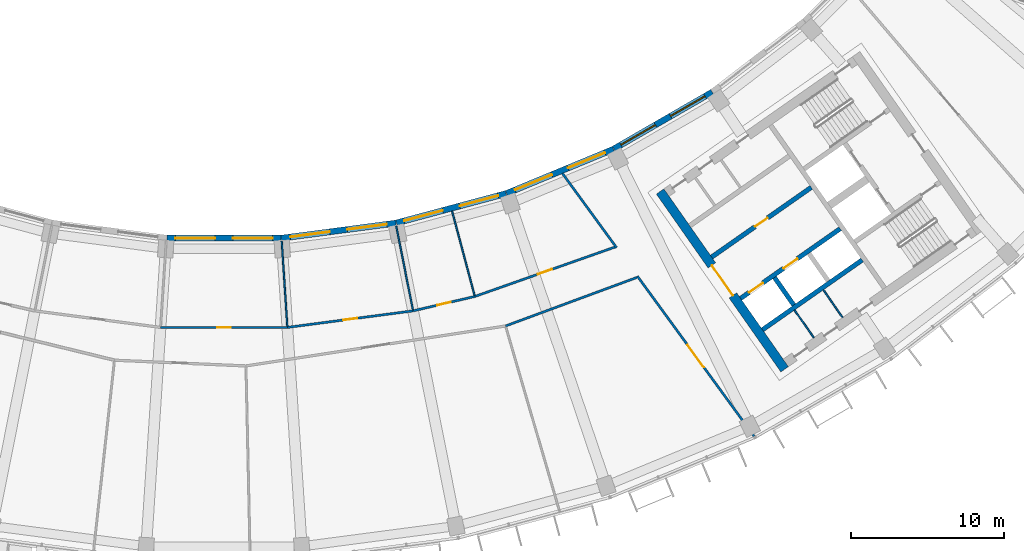
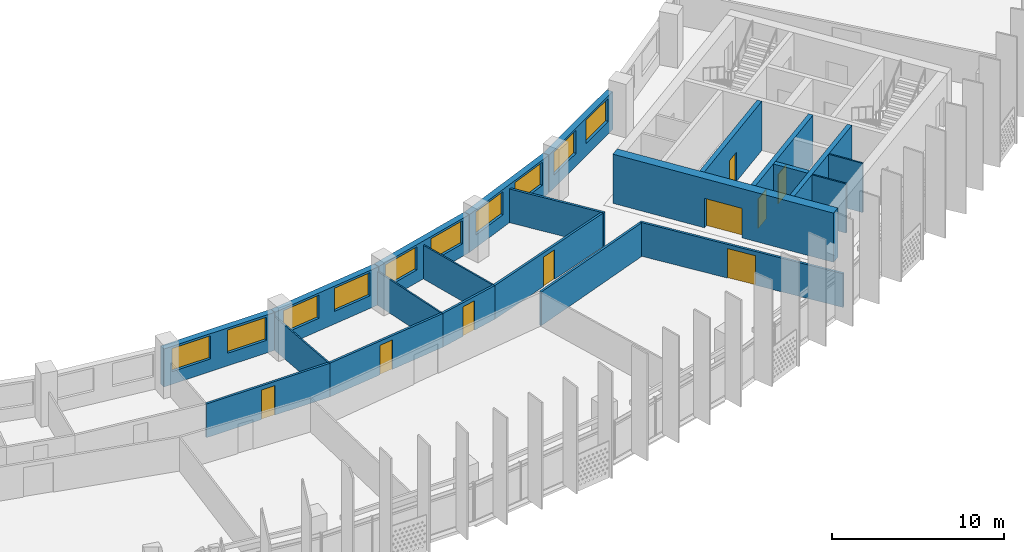
# One storey, part 6 of 28: 22 walls, 10 windows, 9 doors, 19 openings.
"""IFC4 building model written with IfcOpenShell, lengths in metres."""

from ifc_helpers import new_model, si_unit, direction, frame, frame_2d, origin, place, context, subcontext, project, spatial, rectangle, extrude, material, layer, layer_set, type_object, element, fill, save


model = new_model("IFC4")

# Units and contexts
model_context = context("Model", 3, precision=1e-05, world=origin(), true_north=direction((0.0, 1.0)))
body_context = subcontext(model_context, "Body", "Model", "MODEL_VIEW")
ifc_project = project(units=[si_unit("LENGTHUNIT", "METRE"), si_unit("AREAUNIT", "SQUARE_METRE"), si_unit("VOLUMEUNIT", "CUBIC_METRE"), si_unit("PLANEANGLEUNIT", "RADIAN"), si_unit("MASSUNIT", "GRAM", prefix="KILO")], contexts=[model_context])

# Site, building, storey
site_placement = place(None, origin())
site = spatial("IfcSite", under=ifc_project, at=site_placement, CompositionType="ELEMENT")
building_placement = place(site_placement, origin())
building = spatial("IfcBuilding", under=site, at=building_placement, Name="Qamariyya Broadcast Tower", CompositionType="ELEMENT")
storey_placement = place(building_placement, frame((0.0, 0.0, 226.5)))
storey = spatial("IfcBuildingStorey", under=building, at=storey_placement, Name="L54", CompositionType="ELEMENT", Elevation=226.5)

# Wall, opening, door
ifc_material_1 = material(Name="Concrete C60/75", Category="concrete")
ifc_layer_1 = layer(ifc_material_1, 0.60009765625)
ifc_layer_set_1 = layer_set([ifc_layer_1], Name="Core wall 600 mm Concrete C60/75")
wall_type_1 = type_object("IfcWallType", Name="Core wall 600 mm Concrete C60/75", PredefinedType="SHEAR", material=ifc_layer_set_1)
wall_1_placement = place(storey_placement, frame((36.66748046875, -66.005126953125, 0.0), z_axis=(0.0, 0.0, 1.0), x_axis=(-0.573568499524, 0.819157601658, 0.0)))
wall_1 = element("IfcWall", 1, at=wall_1_placement, inside=storey, type_object=wall_type_1, Name="k-E-L54-WA", PredefinedType="SHEAR", context=body_context, shape_type="SweptSolid", body=[
    extrude(rectangle(XDim=14.19970703125, YDim=0.60009765625, at=frame_2d((7.099853515625, 0.0))), origin(), (0.0, 0.0, 1.0), 3.5),
])
opening_1_placement = place(wall_1_placement, frame((5.89990234375, 0.0, 0.0)))
opening_1 = element("IfcOpeningElement", 2, at=opening_1_placement, cuts=wall_1, Name="Opening KD3-E1", PredefinedType="OPENING", context=body_context, shape_type="SweptSolid", body=[
    extrude(rectangle(XDim=2.39990234375, YDim=2.10009765625, at=frame_2d((1.199951171875, 1.050048828125))), frame((0.0, 0.31005859375, 0.0), z_axis=(0.0, -1.0, 0.0), x_axis=(1.0, 0.0, 0.0)), (0.0, 0.0, 1.0), 0.6201171875),
])
ifc_material_2 = material(Name="Steel fire-resisting door leaf", Category="steel")
door_type_1 = type_object("IfcDoorType", Name="Lift lobby door KD3", OperationType="DOUBLE_DOOR_SINGLE_SWING", PredefinedType="DOOR", material=ifc_material_2)
door_1_placement = place(opening_1_placement, origin())
door_1 = element("IfcDoor", 3, at=door_1_placement, inside=storey, type_object=door_type_1, Name="k-E-L54-WA-D1", OperationType="DOUBLE_DOOR_SINGLE_SWING", OverallHeight=2.10009765625, OverallWidth=2.39990234375, PredefinedType="DOOR", context=body_context, shape_type="SweptSolid", body=[
    extrude(rectangle(XDim=2.39990234375, YDim=2.10009765625, at=frame_2d((1.199951171875, 1.050048828125))), frame((0.0, 0.02490234375, 0.0), z_axis=(0.0, -1.0, 0.0), x_axis=(1.0, 0.0, 0.0)), (0.0, 0.0, 1.0), 0.050048828125),
])
fill(opening_1, door_1)

ifc_material_3 = material(Name="Gypsum board partition")
ifc_layer_2 = layer(ifc_material_3, 0.14990234375)
ifc_layer_set_2 = layer_set([ifc_layer_2], Name="Corridor partition 150 EI 60")
wall_type_2 = type_object("IfcWallType", Name="Corridor partition 150 EI 60", PredefinedType="PARTITIONING", material=ifc_layer_set_2)
wall_2_placement = place(storey_placement, frame((-4.146484375, -63.26416015625, 0.0), z_axis=(0.0, 0.0, 1.0), x_axis=(1.0, 0.0, 0.0)))
wall_2 = element("IfcWall", 4, at=wall_2_placement, inside=storey, type_object=wall_type_2, Name="Partition L54-014", PredefinedType="PARTITIONING", context=body_context, shape_type="SweptSolid", body=[
    extrude(rectangle(XDim=8.29296875, YDim=0.14990234375, at=frame_2d((4.146484375, 0.0))), origin(), (0.0, 0.0, 1.0), 2.39990234375),
])
opening_2_placement = place(wall_2_placement, frame((3.696533203125, 0.0, 0.0)))
opening_2 = element("IfcOpeningElement", 5, at=opening_2_placement, cuts=wall_2, Name="Opening L54-D09", PredefinedType="OPENING", context=body_context, shape_type="SweptSolid", body=[
    extrude(rectangle(XDim=0.89990234375, YDim=2.10009765625, at=frame_2d((0.449951171875, 1.050048828125))), frame((0.0, 0.0849609375, 0.0), z_axis=(0.0, -1.0, 0.0), x_axis=(1.0, 0.0, 0.0)), (0.0, 0.0, 1.0), 0.169921875),
])
ifc_material_4 = material(Name="Timber fire door leaf", Category="wood")
door_type_2 = type_object("IfcDoorType", Name="Fire door 900 x 2100 FD60", OperationType="NOTDEFINED", PredefinedType="DOOR", material=ifc_material_4)
door_2_placement = place(opening_2_placement, origin())
door_2 = element("IfcDoor", 6, at=door_2_placement, inside=storey, type_object=door_type_2, Name="Door L54-D09", OperationType="SINGLE_SWING_RIGHT", OverallHeight=2.10009765625, OverallWidth=0.89990234375, PredefinedType="DOOR", context=body_context, shape_type="SweptSolid", body=[
    extrude(rectangle(XDim=0.89990234375, YDim=2.10009765625, at=frame_2d((0.449951171875, 1.050048828125))), frame((0.0, 0.02490234375, 0.0), z_axis=(0.0, -1.0, 0.0), x_axis=(1.0, 0.0, 0.0)), (0.0, 0.0, 1.0), 0.050048828125),
])
fill(opening_2, door_2)

wall_3_placement = place(storey_placement, frame((4.146484375, -63.26416015625, 0.0), z_axis=(0.0, 0.0, 1.0), x_axis=(0.991447881484, 0.130503250152, 0.0)))
wall_3 = element("IfcWall", 7, at=wall_3_placement, inside=storey, type_object=wall_type_2, Name="Partition L54-019", PredefinedType="PARTITIONING", context=body_context, shape_type="SweptSolid", body=[
    extrude(rectangle(XDim=8.293212890625, YDim=0.14990234375, at=frame_2d((4.146484375, 0.0))), origin(), (0.0, 0.0, 1.0), 2.39990234375),
])
opening_3_placement = place(wall_3_placement, frame((3.696533203125, 0.0, 0.0)))
opening_3 = element("IfcOpeningElement", 8, at=opening_3_placement, cuts=wall_3, Name="Opening L54-D10", PredefinedType="OPENING", context=body_context, shape_type="SweptSolid", body=[
    extrude(rectangle(XDim=0.89990234375, YDim=2.10009765625, at=frame_2d((0.449951171875, 1.050048828125))), frame((0.0, 0.0849609375, 0.0), z_axis=(0.0, -1.0, 0.0), x_axis=(1.0, 0.0, 0.0)), (0.0, 0.0, 1.0), 0.169921875),
])
door_3_placement = place(opening_3_placement, origin())
door_3 = element("IfcDoor", 9, at=door_3_placement, inside=storey, type_object=door_type_2, Name="Door L54-D10", OperationType="SINGLE_SWING_RIGHT", OverallHeight=2.10009765625, OverallWidth=0.89990234375, PredefinedType="DOOR", context=body_context, shape_type="SweptSolid", body=[
    extrude(rectangle(XDim=0.89990234375, YDim=2.10009765625, at=frame_2d((0.449951171875, 1.050048828125))), frame((0.0, 0.02490234375, 0.0), z_axis=(0.0, -1.0, 0.0), x_axis=(1.0, 0.0, 0.0)), (0.0, 0.0, 1.0), 0.050048828125),
])
fill(opening_3, door_3)

wall_4_placement = place(storey_placement, frame((12.36865234375, -62.181884765625, 0.0), z_axis=(0.0, 0.0, 1.0), x_axis=(0.973875922187, 0.227080796599, 0.0)))
wall_4 = element("IfcWall", 10, at=wall_4_placement, inside=storey, type_object=wall_type_2, Name="Partition L54-021", PredefinedType="PARTITIONING", context=body_context, shape_type="SweptSolid", body=[
    extrude(rectangle(XDim=4.14892578125, YDim=0.14990234375, at=frame_2d((2.074462890625, 0.0))), origin(), (0.0, 0.0, 1.0), 2.39990234375),
])
opening_4_placement = place(wall_4_placement, frame((1.62451171875, 0.0, 0.0)))
opening_4 = element("IfcOpeningElement", 11, at=opening_4_placement, cuts=wall_4, Name="Opening L54-D11", PredefinedType="OPENING", context=body_context, shape_type="SweptSolid", body=[
    extrude(rectangle(XDim=0.89990234375, YDim=2.10009765625, at=frame_2d((0.449951171875, 1.050048828125))), frame((0.0, 0.0849609375, 0.0), z_axis=(0.0, -1.0, 0.0), x_axis=(1.0, 0.0, 0.0)), (0.0, 0.0, 1.0), 0.169921875),
])
door_4_placement = place(opening_4_placement, origin())
door_4 = element("IfcDoor", 12, at=door_4_placement, inside=storey, type_object=door_type_2, Name="Door L54-D11", OperationType="SINGLE_SWING_RIGHT", OverallHeight=2.10009765625, OverallWidth=0.89990234375, PredefinedType="DOOR", context=body_context, shape_type="SweptSolid", body=[
    extrude(rectangle(XDim=0.89990234375, YDim=2.10009765625, at=frame_2d((0.449951171875, 1.050048828125))), frame((0.0, 0.02490234375, 0.0), z_axis=(0.0, -1.0, 0.0), x_axis=(1.0, 0.0, 0.0)), (0.0, 0.0, 1.0), 0.050048828125),
])
fill(opening_4, door_4)

wall_5_placement = place(storey_placement, frame((16.4091796875, -61.23974609375, 0.0), z_axis=(0.0, 0.0, 1.0), x_axis=(0.943087830275, 0.332543748081, 0.0)))
wall_5 = element("IfcWall", 13, at=wall_5_placement, inside=storey, type_object=wall_type_2, Name="Partition L54-023", PredefinedType="PARTITIONING", context=body_context, shape_type="SweptSolid", body=[
    extrude(rectangle(XDim=9.7041015625, YDim=0.14990234375, at=frame_2d((4.85205078125, 0.0))), origin(), (0.0, 0.0, 1.0), 2.39990234375),
])
opening_5_placement = place(wall_5_placement, frame((4.35205078125, 0.0, 0.0)))
opening_5 = element("IfcOpeningElement", 14, at=opening_5_placement, cuts=wall_5, Name="Opening L54-D12", PredefinedType="OPENING", context=body_context, shape_type="SweptSolid", body=[
    extrude(rectangle(XDim=1.0, YDim=2.10009765625, at=frame_2d((0.5, 1.050048828125))), frame((0.0, 0.0849609375, 0.0), z_axis=(0.0, -1.0, 0.0), x_axis=(1.0, 0.0, 0.0)), (0.0, 0.0, 1.0), 0.169921875),
])
door_type_3 = type_object("IfcDoorType", Name="Fire door 1000 x 2100 FD60", OperationType="NOTDEFINED", PredefinedType="DOOR", material=ifc_material_4)
door_5_placement = place(opening_5_placement, origin())
door_5 = element("IfcDoor", 15, at=door_5_placement, inside=storey, type_object=door_type_3, Name="Door L54-D12", OperationType="SINGLE_SWING_RIGHT", OverallHeight=2.10009765625, OverallWidth=1.0, PredefinedType="DOOR", context=body_context, shape_type="SweptSolid", body=[
    extrude(rectangle(XDim=1.0, YDim=2.10009765625, at=frame_2d((0.5, 1.050048828125))), frame((0.0, 0.02490234375, 0.0), z_axis=(0.0, -1.0, 0.0), x_axis=(1.0, 0.0, 0.0)), (0.0, 0.0, 1.0), 0.050048828125),
])
fill(opening_5, door_5)

# Walls
wall_6_placement = place(storey_placement, frame((18.41455078125, -63.170654296875, 0.0), z_axis=(0.0, 0.0, 1.0), x_axis=(0.938039704857, 0.34652779414, 0.0)))
element("IfcWall", 16, at=wall_6_placement, inside=storey, type_object=wall_type_2, Name="Partition L54-024", PredefinedType="PARTITIONING", context=body_context, shape_type="SweptSolid", body=[
    extrude(rectangle(XDim=9.160400390625, YDim=0.14990234375, at=frame_2d((4.580078125, 0.0))), origin(), (0.0, 0.0, 1.0), 2.39990234375),
])
wall_7_placement = place(storey_placement, frame((22.135498046875, -53.1943359375, 0.0), z_axis=(0.0, 0.0, 1.0), x_axis=(0.589297062476, -0.807916438846, 0.0)))
element("IfcWall", 17, at=wall_7_placement, inside=storey, type_object=wall_type_2, Name="Partition L54-025", PredefinedType="PARTITIONING", context=body_context, shape_type="SweptSolid", body=[
    extrude(rectangle(XDim=6.008056640625, YDim=0.14990234375, at=frame_2d((3.00390625, 0.0))), origin(), (0.0, 0.0, 1.0), 2.39990234375),
])

# Wall, opening, door
wall_8_placement = place(storey_placement, frame((34.668212890625, -70.37744140625, 0.0), z_axis=(0.0, 0.0, 1.0), x_axis=(-0.589273648147, 0.807933516819, 0.0)))
wall_8 = element("IfcWall", 18, at=wall_8_placement, inside=storey, type_object=wall_type_2, Name="Partition L54-027", PredefinedType="PARTITIONING", context=body_context, shape_type="SweptSolid", body=[
    extrude(rectangle(XDim=12.956298828125, YDim=0.14990234375, at=frame_2d((6.47802734375, 0.0))), origin(), (0.0, 0.0, 1.0), 2.39990234375),
])
opening_6_placement = place(wall_8_placement, frame((5.578125, 0.0, 0.0)))
opening_6 = element("IfcOpeningElement", 19, at=opening_6_placement, cuts=wall_8, Name="Opening L54-D05", PredefinedType="OPENING", context=body_context, shape_type="SweptSolid", body=[
    extrude(rectangle(XDim=1.800048828125, YDim=2.10009765625, at=frame_2d((0.89990234375, 1.050048828125))), frame((0.0, 0.0849609375, 0.0), z_axis=(0.0, -1.0, 0.0), x_axis=(1.0, 0.0, 0.0)), (0.0, 0.0, 1.0), 0.169921875),
])
door_type_4 = type_object("IfcDoorType", Name="Double fire door 1800 x 2100 FD60", OperationType="NOTDEFINED", PredefinedType="DOOR", material=ifc_material_4)
door_6_placement = place(opening_6_placement, origin())
door_6 = element("IfcDoor", 20, at=door_6_placement, inside=storey, type_object=door_type_4, Name="Door L54-D05", OperationType="DOUBLE_DOOR_SINGLE_SWING", OverallHeight=2.10009765625, OverallWidth=1.800048828125, PredefinedType="DOOR", context=body_context, shape_type="SweptSolid", body=[
    extrude(rectangle(XDim=1.800048828125, YDim=2.10009765625, at=frame_2d((0.89990234375, 1.050048828125))), frame((0.0, 0.02490234375, 0.0), z_axis=(0.0, -1.0, 0.0), x_axis=(1.0, 0.0, 0.0)), (0.0, 0.0, 1.0), 0.050048828125),
])
fill(opening_6, door_6)

ifc_layer_3 = layer(ifc_material_1, 0.300048828125)
ifc_layer_set_3 = layer_set([ifc_layer_3], Name="Lift shaft wall 300 mm Concrete C60/75")
wall_type_3 = type_object("IfcWallType", Name="Lift shaft wall 300 mm Concrete C60/75", PredefinedType="SOLIDWALL", material=ifc_layer_set_3)
wall_9_placement = place(storey_placement, frame((31.89453125, -58.66552734375, 0.0), z_axis=(0.0, 0.0, 1.0), x_axis=(0.819166993208, 0.573555086491, 0.0)))
wall_9 = element("IfcWall", 21, at=wall_9_placement, inside=storey, type_object=wall_type_3, Name="k-E-L54-NF0", PredefinedType="SOLIDWALL", context=body_context, shape_type="SweptSolid", body=[
    extrude(rectangle(XDim=7.9501953125, YDim=0.300048828125, at=frame_2d((3.97509765625, 0.0))), origin(), (0.0, 0.0, 1.0), 3.5),
])
opening_7_placement = place(wall_9_placement, frame((3.47509765625, 0.0, 0.0)))
opening_7 = element("IfcOpeningElement", 22, at=opening_7_placement, cuts=wall_9, Name="Opening KD6-E1", PredefinedType="OPENING", context=body_context, shape_type="SweptSolid", body=[
    extrude(rectangle(XDim=1.0, YDim=2.10009765625, at=frame_2d((0.5, 1.050048828125))), frame((0.0, 0.159912109375, 0.0), z_axis=(0.0, -1.0, 0.0), x_axis=(1.0, 0.0, 0.0)), (0.0, 0.0, 1.0), 0.320068359375),
])
door_type_5 = type_object("IfcDoorType", Name="Core room door KD6", OperationType="SINGLE_SWING_LEFT", PredefinedType="DOOR", material=ifc_material_2)
door_7_placement = place(opening_7_placement, origin())
door_7 = element("IfcDoor", 23, at=door_7_placement, inside=storey, type_object=door_type_5, Name="k-E-L54-NF0-D2", OperationType="SINGLE_SWING_RIGHT", OverallHeight=2.10009765625, OverallWidth=1.0, PredefinedType="DOOR", context=body_context, shape_type="SweptSolid", body=[
    extrude(rectangle(XDim=1.0, YDim=2.10009765625, at=frame_2d((0.5, 1.050048828125))), frame((0.0, 0.02490234375, 0.0), z_axis=(0.0, -1.0, 0.0), x_axis=(1.0, 0.0, 0.0)), (0.0, 0.0, 1.0), 0.050048828125),
])
fill(opening_7, door_7)

# Wall, openings, doors
wall_10_placement = place(storey_placement, frame((33.787353515625, -61.368896484375, 0.0), z_axis=(0.0, 0.0, 1.0), x_axis=(0.819152564888, 0.573575692858, 0.0)))
wall_10 = element("IfcWall", 24, at=wall_10_placement, inside=storey, type_object=wall_type_3, Name="k-E-L54-SF0", PredefinedType="SOLIDWALL", context=body_context, shape_type="SweptSolid", body=[
    extrude(rectangle(XDim=7.9501953125, YDim=0.300048828125, at=frame_2d((3.97509765625, 0.0))), origin(), (0.0, 0.0, 1.0), 3.5),
])
opening_8_placement = place(wall_10_placement, frame((0.675048828125, 0.0, 0.0)))
opening_8 = element("IfcOpeningElement", 25, at=opening_8_placement, cuts=wall_10, Name="Opening LD", PredefinedType="OPENING", context=body_context, shape_type="SweptSolid", body=[
    extrude(rectangle(XDim=1.10009765625, YDim=2.10009765625, at=frame_2d((0.550048828125, 1.050048828125))), frame((0.0, 0.159912109375, 0.0), z_axis=(0.0, -1.0, 0.0), x_axis=(1.0, 0.0, 0.0)), (0.0, 0.0, 1.0), 0.320068359375),
])
opening_9_placement = place(wall_10_placement, frame((3.425048828125, 0.0, 0.0)))
opening_9 = element("IfcOpeningElement", 26, at=opening_9_placement, cuts=wall_10, Name="Opening LD", PredefinedType="OPENING", context=body_context, shape_type="SweptSolid", body=[
    extrude(rectangle(XDim=1.10009765625, YDim=2.10009765625, at=frame_2d((0.550048828125, 1.050048828125))), frame((0.0, 0.159912109375, 0.0), z_axis=(0.0, -1.0, 0.0), x_axis=(1.0, 0.0, 0.0)), (0.0, 0.0, 1.0), 0.320068359375),
])
door_type_6 = type_object("IfcDoorType", Name="Lift landing door LD", OperationType="DOUBLE_DOOR_SLIDING", PredefinedType="DOOR", material=ifc_material_2)
door_8_placement = place(opening_8_placement, origin())
door_8 = element("IfcDoor", 27, at=door_8_placement, inside=storey, type_object=door_type_6, Name="k-E-L54-SF0-D3", OperationType="DOUBLE_DOOR_SLIDING", OverallHeight=2.10009765625, OverallWidth=1.10009765625, PredefinedType="DOOR", context=body_context, shape_type="SweptSolid", body=[
    extrude(rectangle(XDim=1.10009765625, YDim=2.10009765625, at=frame_2d((0.550048828125, 1.050048828125))), frame((0.0, 0.02490234375, 0.0), z_axis=(0.0, -1.0, 0.0), x_axis=(1.0, 0.0, 0.0)), (0.0, 0.0, 1.0), 0.050048828125),
])
fill(opening_8, door_8)
door_9_placement = place(opening_9_placement, origin())
door_9 = element("IfcDoor", 28, at=door_9_placement, inside=storey, type_object=door_type_6, Name="k-E-L54-SF0-D4", OperationType="DOUBLE_DOOR_SLIDING", OverallHeight=2.10009765625, OverallWidth=1.10009765625, PredefinedType="DOOR", context=body_context, shape_type="SweptSolid", body=[
    extrude(rectangle(XDim=1.10009765625, YDim=2.10009765625, at=frame_2d((0.550048828125, 1.050048828125))), frame((0.0, 0.02490234375, 0.0), z_axis=(0.0, -1.0, 0.0), x_axis=(1.0, 0.0, 0.0)), (0.0, 0.0, 1.0), 0.050048828125),
])
fill(opening_9, door_9)

# Walls
wall_11_placement = place(storey_placement, frame((35.22119140625, -63.41650390625, 0.0), z_axis=(0.0, 0.0, 1.0), x_axis=(0.819166993208, 0.573555086491, 0.0)))
element("IfcWall", 29, at=wall_11_placement, inside=storey, type_object=wall_type_3, Name="k-E-L54-SB0", PredefinedType="SOLIDWALL", context=body_context, shape_type="SweptSolid", body=[
    extrude(rectangle(XDim=7.9501953125, YDim=0.300048828125, at=frame_2d((3.97509765625, 0.0))), origin(), (0.0, 0.0, 1.0), 3.5),
])
wall_12_placement = place(storey_placement, frame((36.003173828125, -60.000244140625, 0.0), z_axis=(0.0, 0.0, 1.0), x_axis=(0.573581496053, -0.819148501424, 0.0)))
element("IfcWall", 30, at=wall_12_placement, inside=storey, type_object=wall_type_3, Name="k-E-L54-SD0", PredefinedType="SOLIDWALL", context=body_context, shape_type="SweptSolid", body=[
    extrude(rectangle(XDim=2.2001953125, YDim=0.300048828125, at=frame_2d((1.10009765625, 0.0))), origin(), (0.0, 0.0, 1.0), 3.5),
])
ifc_layer_4 = layer(ifc_material_3, 0.10009765625)
ifc_layer_set_4 = layer_set([ifc_layer_4], Name="Partition 100")
wall_type_4 = type_object("IfcWallType", Name="Partition 100", PredefinedType="PARTITIONING", material=ifc_layer_set_4)
for number, where, z_axis, x_axis, name in (
    (31, (3.777099609375, -57.62646484375, 0.0), (0.0, 0.0, 1.0), (0.065382488891, -0.997860275864, 0.0), "Partition L54-018"),
    (32, (11.266357421875, -56.640380859375, 0.0), (0.0, 0.0, 1.0), (0.195097004053, -0.98078395124, 0.0), "Partition L54-020"),
):
    element("IfcWall", number, at=place(storey_placement, frame(where, z_axis=z_axis, x_axis=x_axis)), inside=storey, type_object=wall_type_4, Name=name, PredefinedType="PARTITIONING", context=body_context, shape_type="SweptSolid", body=[
        extrude(rectangle(XDim=5.574951171875, YDim=0.10009765625, at=frame_2d((2.78759765625, 0.0))), origin(), (0.0, 0.0, 1.0), 2.39990234375),
    ])
wall_13_placement = place(storey_placement, frame((14.9150390625, -55.66357421875, 0.0), z_axis=(0.0, 0.0, 1.0), x_axis=(0.258803907589, -0.965929882247, 0.0)))
element("IfcWall", 33, at=wall_13_placement, inside=storey, type_object=wall_type_4, Name="Partition L54-022", PredefinedType="PARTITIONING", context=body_context, shape_type="SweptSolid", body=[
    extrude(rectangle(XDim=5.69775390625, YDim=0.10009765625, at=frame_2d((2.848876953125, 0.0))), origin(), (0.0, 0.0, 1.0), 2.39990234375),
])
ifc_material_5 = material(Name="Fire-rated gypsum shaft liner on steel studs", Category="steel")
ifc_layer_5 = layer(ifc_material_5, 0.10009765625)
ifc_layer_set_5 = layer_set([ifc_layer_5], Name="Riser wall 100 mm")
wall_type_5 = type_object("IfcWallType", Name="Riser wall 100 mm", PredefinedType="PLUMBINGWALL", material=ifc_layer_set_5)
wall_14_placement = place(storey_placement, frame((37.314208984375, -62.13427734375, 0.0), z_axis=(0.0, 0.0, 1.0), x_axis=(0.573633636671, -0.819111989218, 0.0)))
element("IfcWall", 34, at=wall_14_placement, inside=storey, type_object=wall_type_5, Name="k-E-L54-SP245", PredefinedType="PLUMBINGWALL", context=body_context, shape_type="SweptSolid", body=[
    extrude(rectangle(XDim=2.199951171875, YDim=0.10009765625, at=frame_2d((1.10009765625, 0.0))), origin(), (0.0, 0.0, 1.0), 3.5),
])
wall_15_placement = place(storey_placement, frame((39.1982421875, -60.81494140625, 0.0), z_axis=(0.0, 0.0, 1.0), x_axis=(0.573581496053, -0.819148501424, 0.0)))
element("IfcWall", 35, at=wall_15_placement, inside=storey, type_object=wall_type_5, Name="k-E-L54-SP475", PredefinedType="PLUMBINGWALL", context=body_context, shape_type="SweptSolid", body=[
    extrude(rectangle(XDim=2.2001953125, YDim=0.10009765625, at=frame_2d((1.10009765625, 0.0))), origin(), (0.0, 0.0, 1.0), 3.5),
])

# Wall, openings, windows
ifc_material_6 = material(Name="Terracotta", Category="masonry")
ifc_layer_6 = layer(ifc_material_6, 0.39990234375)
ifc_layer_set_6 = layer_set([ifc_layer_6], Name="Terracotta clad wall 400")
wall_type_6 = type_object("IfcWallType", Name="Terracotta clad wall 400", PredefinedType="SOLIDWALL", material=ifc_layer_set_6)
wall_16_placement = place(storey_placement, frame((18.449951171875, -54.50927734375, 0.0), z_axis=(0.0, 0.0, 1.0), x_axis=(-0.965924866111, -0.25882262851, 0.0)))
wall_16 = element("IfcWall", 36, at=wall_16_placement, inside=storey, type_object=wall_type_6, Name="e-wl-L54-in100", PredefinedType="SOLIDWALL", context=body_context, shape_type="SweptSolid", body=[
    extrude(rectangle(XDim=7.426513671875, YDim=0.39990234375, at=frame_2d((3.71337890625, 0.0))), origin(), (0.0, 0.0, 1.0), 2.699951171875),
])
opening_10_placement = place(wall_16_placement, frame((4.28857421875, 0.0, 0.89990234375)))
opening_10 = element("IfcOpeningElement", 37, at=opening_10_placement, cuts=wall_16, Name="Opening W1", PredefinedType="OPENING", context=body_context, shape_type="SweptSolid", body=[
    extrude(rectangle(XDim=2.60009765625, YDim=1.64990234375, at=frame_2d((1.300048828125, 0.824951171875))), frame((0.0, 0.2099609375, 0.0), z_axis=(0.0, -1.0, 0.0), x_axis=(1.0, 0.0, 0.0)), (0.0, 0.0, 1.0), 0.419921875),
])
opening_11_placement = place(wall_16_placement, frame((0.537841796875, 0.0, 0.89990234375)))
opening_11 = element("IfcOpeningElement", 38, at=opening_11_placement, cuts=wall_16, Name="Opening W1", PredefinedType="OPENING", context=body_context, shape_type="SweptSolid", body=[
    extrude(rectangle(XDim=2.60009765625, YDim=1.64990234375, at=frame_2d((1.300048828125, 0.824951171875))), frame((0.0, 0.2099609375, 0.0), z_axis=(0.0, -1.0, 0.0), x_axis=(1.0, 0.0, 0.0)), (0.0, 0.0, 1.0), 0.419921875),
])
ifc_material_7 = material(Name="Clear low-e double glazed unit in aluminium frame", Category="aluminium")
window_type = type_object("IfcWindowType", Name="Ribbon window 2600 x 1650", PartitioningType="SINGLE_PANEL", PredefinedType="WINDOW", material=ifc_material_7)
window_1_placement = place(opening_10_placement, origin())
window_1 = element("IfcWindow", 39, at=window_1_placement, inside=storey, type_object=window_type, Name="e-w-L54-in10-0", OverallHeight=1.64990234375, OverallWidth=2.60009765625, PartitioningType="SINGLE_PANEL", PredefinedType="WINDOW", context=body_context, shape_type="SweptSolid", body=[
    extrude(rectangle(XDim=2.60009765625, YDim=1.64990234375, at=frame_2d((1.300048828125, 0.824951171875))), frame((0.0, 0.030029296875, 0.0), z_axis=(0.0, -1.0, 0.0), x_axis=(1.0, 0.0, 0.0)), (0.0, 0.0, 1.0), 0.06005859375),
])
fill(opening_10, window_1)
window_2_placement = place(opening_11_placement, origin())
window_2 = element("IfcWindow", 40, at=window_2_placement, inside=storey, type_object=window_type, Name="e-w-L54-in10-1", OverallHeight=1.64990234375, OverallWidth=2.60009765625, PartitioningType="SINGLE_PANEL", PredefinedType="WINDOW", context=body_context, shape_type="SweptSolid", body=[
    extrude(rectangle(XDim=2.60009765625, YDim=1.64990234375, at=frame_2d((1.300048828125, 0.824951171875))), frame((0.0, 0.030029296875, 0.0), z_axis=(0.0, -1.0, 0.0), x_axis=(1.0, 0.0, 0.0)), (0.0, 0.0, 1.0), 0.06005859375),
])
fill(opening_11, window_2)

wall_17_placement = place(storey_placement, frame((25.47705078125, -51.60595703125, 0.0), z_axis=(0.0, 0.0, 1.0), x_axis=(-0.923884115122, -0.382672368777, 0.0)))
wall_17 = element("IfcWall", 41, at=wall_17_placement, inside=storey, type_object=wall_type_6, Name="e-wl-L54-in110", PredefinedType="SOLIDWALL", context=body_context, shape_type="SweptSolid", body=[
    extrude(rectangle(XDim=7.578125, YDim=0.39990234375, at=frame_2d((3.7890625, 0.0))), origin(), (0.0, 0.0, 1.0), 2.699951171875),
])
opening_12_placement = place(wall_17_placement, frame((4.364501953125, 0.0, 0.89990234375)))
opening_12 = element("IfcOpeningElement", 42, at=opening_12_placement, cuts=wall_17, Name="Opening W1", PredefinedType="OPENING", context=body_context, shape_type="SweptSolid", body=[
    extrude(rectangle(XDim=2.60009765625, YDim=1.64990234375, at=frame_2d((1.300048828125, 0.824951171875))), frame((0.0, 0.2099609375, 0.0), z_axis=(0.0, -1.0, 0.0), x_axis=(1.0, 0.0, 0.0)), (0.0, 0.0, 1.0), 0.419921875),
])
opening_13_placement = place(wall_17_placement, frame((0.613525390625, 0.0, 0.89990234375)))
opening_13 = element("IfcOpeningElement", 43, at=opening_13_placement, cuts=wall_17, Name="Opening W1", PredefinedType="OPENING", context=body_context, shape_type="SweptSolid", body=[
    extrude(rectangle(XDim=2.60009765625, YDim=1.64990234375, at=frame_2d((1.300048828125, 0.824951171875))), frame((0.0, 0.2099609375, 0.0), z_axis=(0.0, -1.0, 0.0), x_axis=(1.0, 0.0, 0.0)), (0.0, 0.0, 1.0), 0.419921875),
])
window_3_placement = place(opening_12_placement, origin())
window_3 = element("IfcWindow", 44, at=window_3_placement, inside=storey, type_object=window_type, Name="e-w-L54-in11-0", OverallHeight=1.64990234375, OverallWidth=2.60009765625, PartitioningType="SINGLE_PANEL", PredefinedType="WINDOW", context=body_context, shape_type="SweptSolid", body=[
    extrude(rectangle(XDim=2.60009765625, YDim=1.64990234375, at=frame_2d((1.300048828125, 0.824951171875))), frame((0.0, 0.030029296875, 0.0), z_axis=(0.0, -1.0, 0.0), x_axis=(1.0, 0.0, 0.0)), (0.0, 0.0, 1.0), 0.06005859375),
])
fill(opening_12, window_3)
window_4_placement = place(opening_13_placement, origin())
window_4 = element("IfcWindow", 45, at=window_4_placement, inside=storey, type_object=window_type, Name="e-w-L54-in11-1", OverallHeight=1.64990234375, OverallWidth=2.60009765625, PartitioningType="SINGLE_PANEL", PredefinedType="WINDOW", context=body_context, shape_type="SweptSolid", body=[
    extrude(rectangle(XDim=2.60009765625, YDim=1.64990234375, at=frame_2d((1.300048828125, 0.824951171875))), frame((0.0, 0.030029296875, 0.0), z_axis=(0.0, -1.0, 0.0), x_axis=(1.0, 0.0, 0.0)), (0.0, 0.0, 1.0), 0.06005859375),
])
fill(opening_13, window_4)

wall_18_placement = place(storey_placement, frame((31.929443359375, -47.876708984375, 0.0), z_axis=(0.0, 0.0, 1.0), x_axis=(-0.866021353871, -0.500007014591, 0.0)))
wall_18 = element("IfcWall", 46, at=wall_18_placement, inside=storey, type_object=wall_type_6, Name="e-wl-L54-in120", PredefinedType="SOLIDWALL", context=body_context, shape_type="SweptSolid", body=[
    extrude(rectangle(XDim=7.4267578125, YDim=0.39990234375, at=frame_2d((3.71337890625, 0.0))), origin(), (0.0, 0.0, 1.0), 2.699951171875),
])
opening_14_placement = place(wall_18_placement, frame((4.28857421875, 0.0, 0.89990234375)))
opening_14 = element("IfcOpeningElement", 47, at=opening_14_placement, cuts=wall_18, Name="Opening W1", PredefinedType="OPENING", context=body_context, shape_type="SweptSolid", body=[
    extrude(rectangle(XDim=2.60009765625, YDim=1.64990234375, at=frame_2d((1.300048828125, 0.824951171875))), frame((0.0, 0.2099609375, 0.0), z_axis=(0.0, -1.0, 0.0), x_axis=(1.0, 0.0, 0.0)), (0.0, 0.0, 1.0), 0.419921875),
])
opening_15_placement = place(wall_18_placement, frame((0.537841796875, 0.0, 0.89990234375)))
opening_15 = element("IfcOpeningElement", 48, at=opening_15_placement, cuts=wall_18, Name="Opening W1", PredefinedType="OPENING", context=body_context, shape_type="SweptSolid", body=[
    extrude(rectangle(XDim=2.60009765625, YDim=1.64990234375, at=frame_2d((1.300048828125, 0.824951171875))), frame((0.0, 0.2099609375, 0.0), z_axis=(0.0, -1.0, 0.0), x_axis=(1.0, 0.0, 0.0)), (0.0, 0.0, 1.0), 0.419921875),
])
window_5_placement = place(opening_14_placement, origin())
window_5 = element("IfcWindow", 49, at=window_5_placement, inside=storey, type_object=window_type, Name="e-w-L54-in12-0", OverallHeight=1.64990234375, OverallWidth=2.60009765625, PartitioningType="SINGLE_PANEL", PredefinedType="WINDOW", context=body_context, shape_type="SweptSolid", body=[
    extrude(rectangle(XDim=2.60009765625, YDim=1.64990234375, at=frame_2d((1.300048828125, 0.824951171875))), frame((0.0, 0.030029296875, 0.0), z_axis=(0.0, -1.0, 0.0), x_axis=(1.0, 0.0, 0.0)), (0.0, 0.0, 1.0), 0.06005859375),
])
fill(opening_14, window_5)
window_6_placement = place(opening_15_placement, origin())
window_6 = element("IfcWindow", 50, at=window_6_placement, inside=storey, type_object=window_type, Name="e-w-L54-in12-1", OverallHeight=1.64990234375, OverallWidth=2.60009765625, PartitioningType="SINGLE_PANEL", PredefinedType="WINDOW", context=body_context, shape_type="SweptSolid", body=[
    extrude(rectangle(XDim=2.60009765625, YDim=1.64990234375, at=frame_2d((1.300048828125, 0.824951171875))), frame((0.0, 0.030029296875, 0.0), z_axis=(0.0, -1.0, 0.0), x_axis=(1.0, 0.0, 0.0)), (0.0, 0.0, 1.0), 0.06005859375),
])
fill(opening_15, window_6)

wall_19_placement = place(storey_placement, frame((3.713134765625, -57.42724609375, 0.0), z_axis=(0.0, 0.0, 1.0), x_axis=(-1.0, 0.0, 0.0)))
wall_19 = element("IfcWall", 51, at=wall_19_placement, inside=storey, type_object=wall_type_6, Name="e-wl-L54-in80", PredefinedType="SOLIDWALL", context=body_context, shape_type="SweptSolid", body=[
    extrude(rectangle(XDim=7.42626953125, YDim=0.39990234375, at=frame_2d((3.713134765625, 0.0))), origin(), (0.0, 0.0, 1.0), 2.699951171875),
])
opening_16_placement = place(wall_19_placement, frame((4.28857421875, 0.0, 0.89990234375)))
opening_16 = element("IfcOpeningElement", 52, at=opening_16_placement, cuts=wall_19, Name="Opening W1", PredefinedType="OPENING", context=body_context, shape_type="SweptSolid", body=[
    extrude(rectangle(XDim=2.60009765625, YDim=1.64990234375, at=frame_2d((1.300048828125, 0.824951171875))), frame((0.0, 0.2099609375, 0.0), z_axis=(0.0, -1.0, 0.0), x_axis=(1.0, 0.0, 0.0)), (0.0, 0.0, 1.0), 0.419921875),
])
opening_17_placement = place(wall_19_placement, frame((0.537841796875, 0.0, 0.89990234375)))
opening_17 = element("IfcOpeningElement", 53, at=opening_17_placement, cuts=wall_19, Name="Opening W1", PredefinedType="OPENING", context=body_context, shape_type="SweptSolid", body=[
    extrude(rectangle(XDim=2.60009765625, YDim=1.64990234375, at=frame_2d((1.300048828125, 0.824951171875))), frame((0.0, 0.2099609375, 0.0), z_axis=(0.0, -1.0, 0.0), x_axis=(1.0, 0.0, 0.0)), (0.0, 0.0, 1.0), 0.419921875),
])
window_7_placement = place(opening_16_placement, origin())
window_7 = element("IfcWindow", 54, at=window_7_placement, inside=storey, type_object=window_type, Name="e-w-L54-in08-0", OverallHeight=1.64990234375, OverallWidth=2.60009765625, PartitioningType="SINGLE_PANEL", PredefinedType="WINDOW", context=body_context, shape_type="SweptSolid", body=[
    extrude(rectangle(XDim=2.60009765625, YDim=1.64990234375, at=frame_2d((1.300048828125, 0.824951171875))), frame((0.0, 0.030029296875, 0.0), z_axis=(0.0, -1.0, 0.0), x_axis=(1.0, 0.0, 0.0)), (0.0, 0.0, 1.0), 0.06005859375),
])
fill(opening_16, window_7)
window_8_placement = place(opening_17_placement, origin())
window_8 = element("IfcWindow", 55, at=window_8_placement, inside=storey, type_object=window_type, Name="e-w-L54-in08-1", OverallHeight=1.64990234375, OverallWidth=2.60009765625, PartitioningType="SINGLE_PANEL", PredefinedType="WINDOW", context=body_context, shape_type="SweptSolid", body=[
    extrude(rectangle(XDim=2.60009765625, YDim=1.64990234375, at=frame_2d((1.300048828125, 0.824951171875))), frame((0.0, 0.030029296875, 0.0), z_axis=(0.0, -1.0, 0.0), x_axis=(1.0, 0.0, 0.0)), (0.0, 0.0, 1.0), 0.06005859375),
])
fill(opening_17, window_8)

wall_20_placement = place(storey_placement, frame((11.252197265625, -56.44140625, 0.0), z_axis=(0.0, 0.0, 1.0), x_axis=(-0.991446288508, -0.130515351599, 0.0)))
wall_20 = element("IfcWall", 56, at=wall_20_placement, inside=storey, type_object=wall_type_6, Name="e-wl-L54-in90", PredefinedType="SOLIDWALL", context=body_context, shape_type="SweptSolid", body=[
    extrude(rectangle(XDim=7.57763671875, YDim=0.39990234375, at=frame_2d((3.788818359375, 0.0))), origin(), (0.0, 0.0, 1.0), 2.699951171875),
])
opening_18_placement = place(wall_20_placement, frame((4.364501953125, 0.0, 0.89990234375)))
opening_18 = element("IfcOpeningElement", 57, at=opening_18_placement, cuts=wall_20, Name="Opening W1", PredefinedType="OPENING", context=body_context, shape_type="SweptSolid", body=[
    extrude(rectangle(XDim=2.60009765625, YDim=1.64990234375, at=frame_2d((1.300048828125, 0.824951171875))), frame((0.0, 0.2099609375, 0.0), z_axis=(0.0, -1.0, 0.0), x_axis=(1.0, 0.0, 0.0)), (0.0, 0.0, 1.0), 0.419921875),
])
opening_19_placement = place(wall_20_placement, frame((0.613525390625, 0.0, 0.89990234375)))
opening_19 = element("IfcOpeningElement", 58, at=opening_19_placement, cuts=wall_20, Name="Opening W1", PredefinedType="OPENING", context=body_context, shape_type="SweptSolid", body=[
    extrude(rectangle(XDim=2.60009765625, YDim=1.64990234375, at=frame_2d((1.300048828125, 0.824951171875))), frame((0.0, 0.2099609375, 0.0), z_axis=(0.0, -1.0, 0.0), x_axis=(1.0, 0.0, 0.0)), (0.0, 0.0, 1.0), 0.419921875),
])
window_9_placement = place(opening_18_placement, origin())
window_9 = element("IfcWindow", 59, at=window_9_placement, inside=storey, type_object=window_type, Name="e-w-L54-in09-0", OverallHeight=1.64990234375, OverallWidth=2.60009765625, PartitioningType="SINGLE_PANEL", PredefinedType="WINDOW", context=body_context, shape_type="SweptSolid", body=[
    extrude(rectangle(XDim=2.60009765625, YDim=1.64990234375, at=frame_2d((1.300048828125, 0.824951171875))), frame((0.0, 0.030029296875, 0.0), z_axis=(0.0, -1.0, 0.0), x_axis=(1.0, 0.0, 0.0)), (0.0, 0.0, 1.0), 0.06005859375),
])
fill(opening_18, window_9)
window_10_placement = place(opening_19_placement, origin())
window_10 = element("IfcWindow", 60, at=window_10_placement, inside=storey, type_object=window_type, Name="e-w-L54-in09-1", OverallHeight=1.64990234375, OverallWidth=2.60009765625, PartitioningType="SINGLE_PANEL", PredefinedType="WINDOW", context=body_context, shape_type="SweptSolid", body=[
    extrude(rectangle(XDim=2.60009765625, YDim=1.64990234375, at=frame_2d((1.300048828125, 0.824951171875))), frame((0.0, 0.030029296875, 0.0), z_axis=(0.0, -1.0, 0.0), x_axis=(1.0, 0.0, 0.0)), (0.0, 0.0, 1.0), 0.06005859375),
])
fill(opening_19, window_10)

save(model, "model.ifc")
